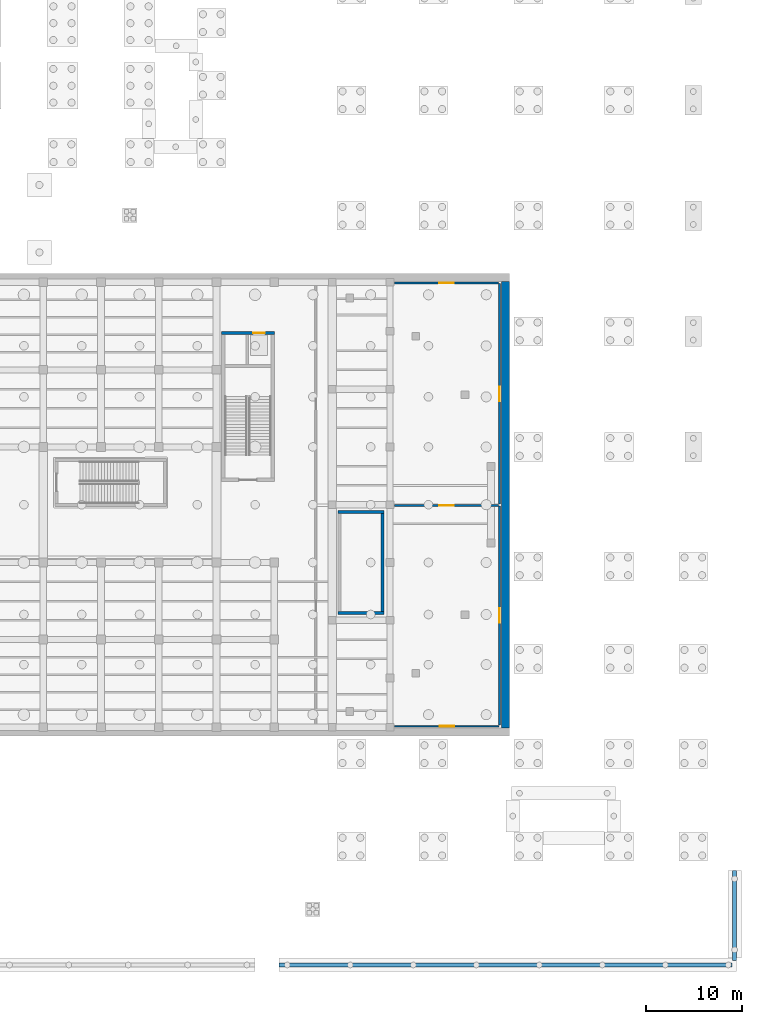
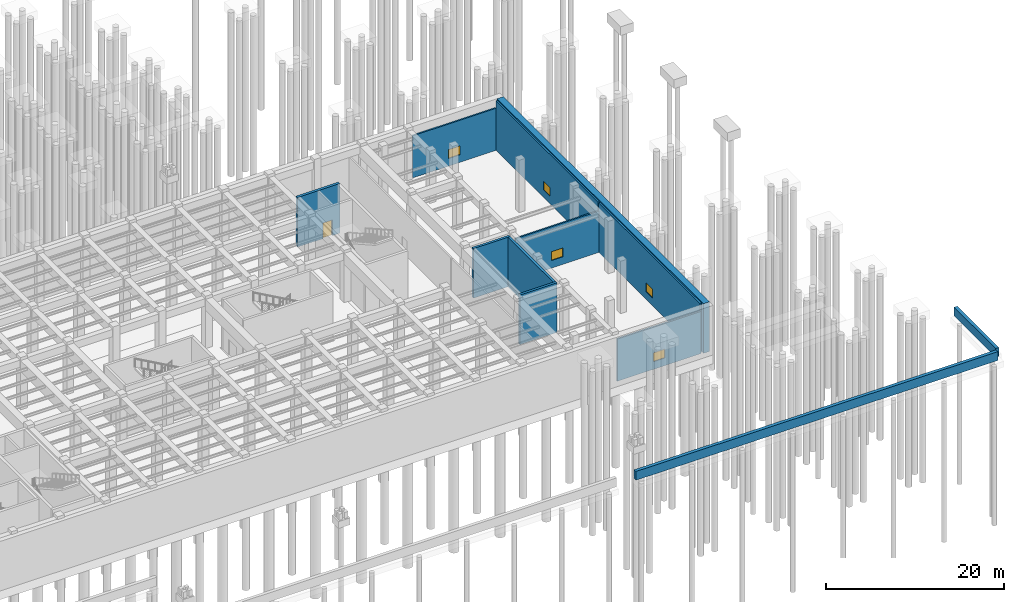
# One storey, part 19 of 30: 12 walls, 5 windows, 1 door, 6 openings.
"""IFC4 building model written with IfcOpenShell, lengths in metres."""

import ifcopenshell
import ifcopenshell.guid

model = None  # the IFC model being written
_history = None  # IfcOwnerHistory: only IFC2X3 demands one
_inside = {}  # id of a spatial element -> (the spatial element, [elements in it])
_under = {}  # id of a project, library or spatial element -> (it, [spatial elements below it])
_declared = {}  # id of a project -> (the project, [libraries it declares])
_typed = {}  # id of a type object -> (the type object, [elements of that type])
_made_of = {}  # id of a material, layer set ... -> (it, [elements and type objects made of it])


def new_model(schema):
    """Start an empty IFC model of exactly this schema.

    Asked for "IFC4X3", IfcOpenShell would pick the latest addendum, in which some entities
    have other attributes; the version numbers below select the first issue.
    IFC2X3 requires an IfcOwnerHistory on every rooted entity: one is made here for all.
    """
    global model, _history
    if schema == "IFC4X3":
        model = ifcopenshell.file(schema_version=(4, 3, 0, 0))
    else:
        model = ifcopenshell.file(schema=schema)
    _inside.clear()
    _under.clear()
    _declared.clear()
    _typed.clear()
    _made_of.clear()
    _history = None
    if model.schema == "IFC2X3":
        org = make("IfcOrganization", Name="unknown")
        user = make(
            "IfcPersonAndOrganization",
            ThePerson=make("IfcPerson", FamilyName="unknown"),
            TheOrganization=org,
        )
        app = make(
            "IfcApplication",
            ApplicationDeveloper=org,
            Version="unknown",
            ApplicationFullName="unknown",
            ApplicationIdentifier="unknown",
        )
        _history = make(
            "IfcOwnerHistory",
            OwningUser=user,
            OwningApplication=app,
            ChangeAction="ADDED",
            CreationDate=0,
        )
    return model


def make(cls, **values):
    """One entity of the class cls with the attributes given. An attribute that is None is left unset."""
    return model.create_entity(
        cls, **{name: value for name, value in values.items() if value is not None}
    )


def rooted(cls, **values):
    """An entity with a GlobalId (a new one), such as an element, a storey or a relation."""
    return make(cls, GlobalId=ifcopenshell.guid.new(), OwnerHistory=_history, **values)


def si_unit(unit_type, name, prefix=None):
    """IfcSIUnit, for example si_unit("LENGTHUNIT", "METRE", prefix="MILLI")."""
    return make("IfcSIUnit", UnitType=unit_type, Prefix=prefix, Name=name)


def assignment(units):
    """IfcUnitAssignment: the units of a project."""
    return None if units is None else make("IfcUnitAssignment", Units=units)


def point(xyz):
    """IfcCartesianPoint."""
    return None if xyz is None else make("IfcCartesianPoint", Coordinates=xyz)


def direction(xyz):
    """IfcDirection."""
    return None if xyz is None else make("IfcDirection", DirectionRatios=xyz)


def frame(location, z_axis=None, x_axis=None):
    """IfcAxis2Placement3D, a coordinate frame: its origin and axes. An axis left out is left unset."""
    return make(
        "IfcAxis2Placement3D",
        Location=point(location),
        Axis=direction(z_axis),
        RefDirection=direction(x_axis),
    )


def frame_2d(location, x_axis=None):
    """IfcAxis2Placement2D, a coordinate frame in the plane: its origin and x axis."""
    return make(
        "IfcAxis2Placement2D", Location=point(location), RefDirection=direction(x_axis)
    )


def origin():
    """The frame at (0, 0, 0) with its axes left unset."""
    return frame((0.0, 0.0, 0.0))


def place(relative_to, where):
    """IfcLocalPlacement: puts the frame where relative to a parent placement (None: the world)."""
    return make(
        "IfcLocalPlacement", PlacementRelTo=relative_to, RelativePlacement=where
    )


def context(
    kind, dimensions, precision=None, world=None, true_north=None, identifier=None
):
    """IfcGeometricRepresentationContext, for example the 3D "Model" context."""
    return make(
        "IfcGeometricRepresentationContext",
        ContextIdentifier=identifier,
        ContextType=kind,
        CoordinateSpaceDimension=dimensions,
        Precision=precision,
        WorldCoordinateSystem=world,
        TrueNorth=true_north,
    )


def subcontext(parent, identifier, kind, view, scale=None):
    """IfcGeometricRepresentationSubContext, for example "Body" below "Model"."""
    return make(
        "IfcGeometricRepresentationSubContext",
        ContextIdentifier=identifier,
        ContextType=kind,
        ParentContext=parent,
        TargetScale=scale,
        TargetView=view,
    )


def project(units=None, contexts=None):
    """IfcProject with its units and contexts."""
    return rooted(
        "IfcProject",
        Name="project",
        RepresentationContexts=contexts,
        UnitsInContext=assignment(units),
    )


def spatial(cls, under=None, at=None, **own):
    """A site, building, storey or space (cls), placed at a placement, below another one or the project."""
    s = rooted(cls, ObjectPlacement=at, **own)
    if under is not None:
        _under.setdefault(under.id(), (under, []))[1].append(s)
    return s


def profile(cls, at=None, kind="AREA", **sizes):
    """A parametric profile (cls). Its sizes go by their IFC names, for example OverallWidth=200.0."""
    return make(cls, ProfileType=kind, Position=at, **sizes)


def rectangle(**sizes):
    """IfcRectangleProfileDef."""
    return profile("IfcRectangleProfileDef", **sizes)


def extrude(swept, where, along, depth):
    """IfcExtrudedAreaSolid: the profile swept, set in the frame where, extruded along a direction by depth."""
    return make(
        "IfcExtrudedAreaSolid",
        SweptArea=swept,
        Position=where,
        ExtrudedDirection=direction(along),
        Depth=depth,
    )


def shape(context_of_items, identifier, shape_type, items):
    """IfcShapeRepresentation: the items that make up one representation, for example the "Body"."""
    return make(
        "IfcShapeRepresentation",
        ContextOfItems=context_of_items,
        RepresentationIdentifier=identifier,
        RepresentationType=shape_type,
        Items=items,
    )


def material(Name=None, Category=None):
    """IfcMaterial."""
    return make("IfcMaterial", Name=Name, Category=Category)


def layer(
    of_material, thickness, ventilated=None, Name=None, Category=None, Priority=None
):
    """IfcMaterialLayer: one layer of a wall or slab, of a material (None: an air gap)."""
    return make(
        "IfcMaterialLayer",
        Material=of_material,
        LayerThickness=thickness,
        IsVentilated=ventilated,
        Name=Name,
        Category=Category,
        Priority=Priority,
    )


def layer_set(layers, Name=None):
    """IfcMaterialLayerSet."""
    return make("IfcMaterialLayerSet", MaterialLayers=layers, LayerSetName=Name)


def made_of(thing, what):
    """Note that an element or type object is made of a material, layer set ...; save() writes the relation."""
    if what is not None:
        _made_of.setdefault(what.id(), (what, []))[1].append(thing)
    return thing


def type_object(cls, material=None, **own):
    """A type object (cls), such as IfcWallType, which elements share."""
    return made_of(rooted(cls, **own), material)


def element(
    cls,
    number,
    at=None,
    inside=None,
    cuts=None,
    type_object=None,
    material=None,
    context=None,
    identifier="Body",
    shape_type=None,
    held_by="IfcProductDefinitionShape",
    body=None,
    shapes=None,
    **own,
):
    """One element of the class cls, such as IfcWall. Its Tag is "e" and its number.

    at: its placement. inside: the storey or other place that contains it. cuts: it is an
    opening in that element (IfcRelVoidsElement). A single representation is given by context,
    identifier, shape_type and body (its items); several are given by shapes. held_by: the class
    of the entity that holds the representations. save() writes the other relations.
    """
    e = rooted(cls, Tag="e%d" % number, ObjectPlacement=at, **own)
    if body is not None:
        shapes = [shape(context, identifier, shape_type, body)]
    if shapes is not None:
        e.Representation = make(held_by, Representations=shapes)
    if inside is not None:
        _inside.setdefault(inside.id(), (inside, []))[1].append(e)
    if cuts is not None:
        rooted(
            "IfcRelVoidsElement", RelatingBuildingElement=cuts, RelatedOpeningElement=e
        )
    if type_object is not None:
        _typed.setdefault(type_object.id(), (type_object, []))[1].append(e)
    return made_of(e, material)


def fill(opening, filler):
    """IfcRelFillsElement: the door or window that sits in an opening."""
    return rooted(
        "IfcRelFillsElement",
        RelatingOpeningElement=opening,
        RelatedBuildingElement=filler,
    )


def aggregate(whole, parts):
    """IfcRelAggregates: a whole, such as a stair, and the parts it consists of."""
    return rooted("IfcRelAggregates", RelatingObject=whole, RelatedObjects=parts)


def save(model, path):
    """Write the relations noted so far, then the file.

    IfcRelAggregates (storeys below a building ...), IfcRelContainedInSpatialStructure (elements
    in a storey), IfcRelDefinesByType, IfcRelAssociatesMaterial and IfcRelDeclares: one each for
    every whole, place, type object, material and project.
    """
    for whole, parts in _under.values():
        aggregate(whole, parts)
    for where, things in _inside.values():
        rooted(
            "IfcRelContainedInSpatialStructure",
            RelatedElements=things,
            RelatingStructure=where,
        )
    for kind, things in _typed.values():
        rooted("IfcRelDefinesByType", RelatedObjects=things, RelatingType=kind)
    for what, things in _made_of.values():
        rooted("IfcRelAssociatesMaterial", RelatedObjects=things, RelatingMaterial=what)
    for by, libraries in _declared.values():
        rooted("IfcRelDeclares", RelatingContext=by, RelatedDefinitions=libraries)
    model.write(path)


model = new_model("IFC4")

# Units and contexts
model_context = context("Model", 3, precision=1e-05, world=origin(), true_north=direction((0.0, 1.0)))
body_context = subcontext(model_context, "Body", "Model", "MODEL_VIEW")
ifc_project = project(units=[si_unit("LENGTHUNIT", "METRE"), si_unit("AREAUNIT", "SQUARE_METRE"), si_unit("VOLUMEUNIT", "CUBIC_METRE"), si_unit("PLANEANGLEUNIT", "RADIAN"), si_unit("MASSUNIT", "GRAM", prefix="KILO")], contexts=[model_context])

# Site, building, storey
site_placement = place(None, origin())
site = spatial("IfcSite", under=ifc_project, at=site_placement, CompositionType="ELEMENT")
building_placement = place(site_placement, origin())
building = spatial("IfcBuilding", under=site, at=building_placement, Name="Kolvaren Corner Interchange", CompositionType="ELEMENT")
storey_placement = place(building_placement, frame((0.0, 0.0, -7.199951171875)))
storey = spatial("IfcBuildingStorey", under=building, at=storey_placement, Name="B1", CompositionType="ELEMENT", Elevation=-7.199951171875)

# Wall, opening, door
ifc_material_1 = material(Name="Concrete C35/45", Category="concrete")
ifc_layer_1 = layer(ifc_material_1, 0.35009765625)
ifc_layer_set_1 = layer_set([ifc_layer_1], Name="Concrete C35/45")
wall_type_1 = type_object("IfcWallType", Name="WL-CORE-350", PredefinedType="SHEAR", material=ifc_layer_set_1)
wall_1_placement = place(storey_placement, frame((114.5, 65.824951171875, 0.0), z_axis=(0.0, 0.0, 1.0), x_axis=(1.0, 0.0, 0.0)))
wall_1 = element("IfcWall", 1, at=wall_1_placement, inside=storey, type_object=wall_type_1, Name="Core C4 B1 North Shear Wall", PredefinedType="SHEAR", context=body_context, shape_type="SweptSolid", body=[
    extrude(rectangle(XDim=5.5, YDim=0.35009765625, at=frame_2d((2.75, 0.0))), origin(), (0.0, 0.0, 1.0), 6.800048828125),
])
opening_1_placement = place(wall_1_placement, frame((3.2900390625, 0.0, 0.0)))
opening_1 = element("IfcOpeningElement", 2, at=opening_1_placement, cuts=wall_1, Name="Opening LD-LF-P2-B1", PredefinedType="OPENING", context=body_context, shape_type="SweptSolid", body=[
    extrude(rectangle(XDim=1.219970703125, YDim=2.14990234375, at=frame_2d((0.60986328125, 1.074951171875))), frame((0.0, 0.18505859375, 0.0), z_axis=(0.0, -1.0, 0.0), x_axis=(1.0, 0.0, 0.0)), (0.0, 0.0, 1.0), 0.3701171875),
])
ifc_material_2 = material(Name="Brushed Stainless Steel Landing Door", Category="steel")
door_type = type_object("IfcDoorType", Name="DT-LIFT-1220", OperationType="NOTDEFINED", PredefinedType="DOOR", material=ifc_material_2)
door_placement = place(opening_1_placement, origin())
door = element("IfcDoor", 3, at=door_placement, inside=storey, type_object=door_type, Name="Passenger Lift LF P2 B1 Sliding Landing Door", OperationType="DOUBLE_DOOR_SLIDING", OverallHeight=2.14990234375, OverallWidth=1.219970703125, PredefinedType="DOOR", context=body_context, shape_type="SweptSolid", body=[
    extrude(rectangle(XDim=1.219970703125, YDim=2.14990234375, at=frame_2d((0.60986328125, 1.074951171875))), frame((0.0, 0.02490234375, 0.0), z_axis=(0.0, -1.0, 0.0), x_axis=(1.0, 0.0, 0.0)), (0.0, 0.0, 1.0), 0.050048828125),
])
fill(opening_1, door)

# Walls
ifc_material_3 = material(Name="Concrete C40/50", Category="concrete")
ifc_layer_2 = layer(ifc_material_3, 0.800048828125)
ifc_layer_set_2 = layer_set([ifc_layer_2], Name="Concrete C40/50")
wall_type_2 = type_object("IfcWallType", Name="WL-METRO-800", PredefinedType="SHEAR", material=ifc_layer_set_2)
wall_2_placement = place(storey_placement, frame((144.0, 24.800048828125, 0.0), z_axis=(0.0, 0.0, 1.0), x_axis=(0.0, 1.0, 0.0)))
element("IfcWall", 4, at=wall_2_placement, inside=storey, type_object=wall_type_2, Name="Metro Station East Diaphragm Wall", PredefinedType="SHEAR", context=body_context, shape_type="SweptSolid", body=[
    extrude(rectangle(XDim=46.39990234375, YDim=0.800048828125, at=frame_2d((23.199951171875, 0.0))), origin(), (0.0, 0.0, 1.0), 6.800048828125),
])
ifc_material_4 = material(Name="Concrete C40/50", Category="concrete")
ifc_layer_3 = layer(ifc_material_4, 0.419921875)
ifc_layer_set_3 = layer_set([ifc_layer_3], Name="Concrete C40/50")
wall_type_3 = type_object("IfcWallType", Name="WL-RET-400", PredefinedType="USERDEFINED", material=ifc_layer_set_3)
wall_3_placement = place(storey_placement, frame((120.5, 0.2099609375, 5.699951171875), z_axis=(0.0, 0.0, 1.0), x_axis=(1.0, 0.0, 0.0)))
element("IfcWall", 5, at=wall_3_placement, inside=storey, type_object=wall_type_3, Name="Southeast Bus Apron Plinth Retaining Wall", ObjectType="RETAINING WALL", PredefinedType="USERDEFINED", context=body_context, shape_type="SweptSolid", body=[
    extrude(rectangle(XDim=47.0, YDim=0.419921875, at=frame_2d((23.5, 0.0))), origin(), (0.0, 0.0, 1.0), 1.2099609375),
])
wall_4_placement = place(storey_placement, frame((167.7900390625, 0.64990234375, 5.699951171875), z_axis=(0.0, 0.0, 1.0), x_axis=(0.0, 1.0, 0.0)))
element("IfcWall", 6, at=wall_4_placement, inside=storey, type_object=wall_type_3, Name="East Apron Plinth Retaining Wall", ObjectType="RETAINING WALL", PredefinedType="USERDEFINED", context=body_context, shape_type="SweptSolid", body=[
    extrude(rectangle(XDim=9.35009765625, YDim=0.419921875, at=frame_2d((4.675048828125, 0.0))), origin(), (0.0, 0.0, 1.0), 1.2099609375),
])
ifc_material_5 = material(Name="Concrete C35/45", Category="concrete")
ifc_layer_4 = layer(ifc_material_5, 0.31005859375)
ifc_layer_set_4 = layer_set([ifc_layer_4], Name="Concrete C35/45")
wall_type_4 = type_object("IfcWallType", Name="WL-STAIR-300", PredefinedType="SHEAR", material=ifc_layer_set_4)
for number, where, z_axis, x_axis, name in (
    (7, (126.60009765625, 36.7548828125, 0.0), (0.0, 0.0, 1.0), (1.0, 0.0, 0.0), "East Racetrack Concourse Gallery Stair B1 Foundation Shaft South Wall"),
    (8, (126.60009765625, 47.2451171875, 0.0), (0.0, 0.0, 1.0), (1.0, 0.0, 0.0), "East Racetrack Concourse Gallery Stair B1 Foundation Shaft North Wall"),
):
    element("IfcWall", number, at=place(storey_placement, frame(where, z_axis=z_axis, x_axis=x_axis)), inside=storey, type_object=wall_type_4, Name=name, PredefinedType="SHEAR", context=body_context, shape_type="SweptSolid", body=[
        extrude(rectangle(XDim=4.7998046875, YDim=0.31005859375, at=frame_2d((2.39990234375, 0.0))), origin(), (0.0, 0.0, 1.0), 6.800048828125),
    ])
wall_5_placement = place(storey_placement, frame((131.2451171875, 36.909912109375, 0.0), z_axis=(0.0, 0.0, 1.0), x_axis=(0.0, 1.0, 0.0)))
element("IfcWall", 9, at=wall_5_placement, inside=storey, type_object=wall_type_4, Name="East Racetrack Concourse Gallery Stair B1 Foundation Shaft East Wall", PredefinedType="SHEAR", context=body_context, shape_type="SweptSolid", body=[
    extrude(rectangle(XDim=10.18017578125, YDim=0.31005859375, at=frame_2d((5.090087890625, 0.0))), origin(), (0.0, 0.0, 1.0), 6.800048828125),
])

# Wall, opening, window
ifc_material_6 = material(Name="Fire-Rated Gypsum Block Partition")
ifc_layer_5 = layer(ifc_material_6, 0.199951171875)
ifc_layer_set_5 = layer_set([ifc_layer_5], Name="Fire-Rated Gypsum Block Partition")
wall_type_5 = type_object("IfcWallType", Name="WT-PART-FR200", PredefinedType="PARTITIONING", material=ifc_layer_set_5)
wall_6_placement = place(storey_placement, frame((132.4599609375, 25.0, 0.0), z_axis=(0.0, 0.0, 1.0), x_axis=(1.0, 0.0, 0.0)))
wall_6 = element("IfcWall", 10, at=wall_6_placement, inside=storey, type_object=wall_type_5, Name="B1 Metro Chiller and Pump Plant Partition Wall 011", PredefinedType="PARTITIONING", context=body_context, shape_type="SweptSolid", body=[
    extrude(rectangle(XDim=10.89013671875, YDim=0.199951171875, at=frame_2d((5.445068359375, 0.0))), origin(), (0.0, 0.0, 1.0), 5.784912109375),
])
opening_2_placement = place(wall_6_placement, frame((4.695068359375, 0.0, 1.050048828125)))
opening_2 = element("IfcOpeningElement", 11, at=opening_2_placement, cuts=wall_6, Name="Opening W-I02", PredefinedType="OPENING", context=body_context, shape_type="SweptSolid", body=[
    extrude(rectangle(XDim=1.5, YDim=1.199951171875, at=frame_2d((0.75, 0.60009765625))), frame((0.0, 0.10986328125, 0.0), z_axis=(0.0, -1.0, 0.0), x_axis=(1.0, 0.0, 0.0)), (0.0, 0.0, 1.0), 0.219970703125),
])
ifc_material_7 = material(Name="Fire-Rated Interior Observation Window")
window_type = type_object("IfcWindowType", Name="WT-INT-1500x1200", PartitioningType="SINGLE_PANEL", PredefinedType="WINDOW", material=ifc_material_7)
window_1_placement = place(opening_2_placement, origin())
window_1 = element("IfcWindow", 12, at=window_1_placement, inside=storey, type_object=window_type, Name="B1 Interior Vision Glazing 07", OverallHeight=1.199951171875, OverallWidth=1.5, PartitioningType="SINGLE_PANEL", PredefinedType="WINDOW", context=body_context, shape_type="SweptSolid", body=[
    extrude(rectangle(XDim=1.5, YDim=1.199951171875, at=frame_2d((0.75, 0.60009765625))), frame((0.0, 0.030029296875, 0.0), z_axis=(0.0, -1.0, 0.0), x_axis=(1.0, 0.0, 0.0)), (0.0, 0.0, 1.0), 0.06005859375),
])
fill(opening_2, window_1)

wall_7_placement = place(storey_placement, frame((143.39990234375, 25.10205078125, 0.0), z_axis=(0.0, 0.0, 1.0), x_axis=(0.0, 1.0, 0.0)))
wall_7 = element("IfcWall", 13, at=wall_7_placement, inside=storey, type_object=wall_type_5, Name="B1 Metro Chiller and Pump Plant Partition Wall 012", PredefinedType="PARTITIONING", context=body_context, shape_type="SweptSolid", body=[
    extrude(rectangle(XDim=22.748046875, YDim=0.199951171875, at=frame_2d((11.3740234375, 0.0))), origin(), (0.0, 0.0, 1.0), 6.780029296875),
])
opening_3_placement = place(wall_7_placement, frame((10.6240234375, 0.0, 1.050048828125)))
opening_3 = element("IfcOpeningElement", 14, at=opening_3_placement, cuts=wall_7, Name="Opening W-I02", PredefinedType="OPENING", context=body_context, shape_type="SweptSolid", body=[
    extrude(rectangle(XDim=1.5, YDim=1.199951171875, at=frame_2d((0.75, 0.60009765625))), frame((0.0, 0.10986328125, 0.0), z_axis=(0.0, -1.0, 0.0), x_axis=(1.0, 0.0, 0.0)), (0.0, 0.0, 1.0), 0.219970703125),
])
window_2_placement = place(opening_3_placement, origin())
window_2 = element("IfcWindow", 15, at=window_2_placement, inside=storey, type_object=window_type, Name="B1 Interior Vision Glazing 08", OverallHeight=1.199951171875, OverallWidth=1.5, PartitioningType="SINGLE_PANEL", PredefinedType="WINDOW", context=body_context, shape_type="SweptSolid", body=[
    extrude(rectangle(XDim=1.5, YDim=1.199951171875, at=frame_2d((0.75, 0.60009765625))), frame((0.0, 0.030029296875, 0.0), z_axis=(0.0, -1.0, 0.0), x_axis=(1.0, 0.0, 0.0)), (0.0, 0.0, 1.0), 0.06005859375),
])
fill(opening_3, window_2)

wall_8_placement = place(storey_placement, frame((143.298095703125, 47.89990234375, 0.0), z_axis=(0.0, 0.0, 1.0), x_axis=(-1.0, 0.0, 0.0)))
wall_8 = element("IfcWall", 16, at=wall_8_placement, inside=storey, type_object=wall_type_5, Name="B1 Metro Chiller and Pump Plant Partition Wall 013", PredefinedType="PARTITIONING", context=body_context, shape_type="SweptSolid", body=[
    extrude(rectangle(XDim=10.838134765625, YDim=0.199951171875, at=frame_2d((5.4189453125, 0.0))), origin(), (0.0, 0.0, 1.0), 5.68505859375),
])
opening_4_placement = place(wall_8_placement, frame((4.6689453125, 0.0, 1.050048828125)))
opening_4 = element("IfcOpeningElement", 17, at=opening_4_placement, cuts=wall_8, Name="Opening W-I02", PredefinedType="OPENING", context=body_context, shape_type="SweptSolid", body=[
    extrude(rectangle(XDim=1.5, YDim=1.199951171875, at=frame_2d((0.75, 0.60009765625))), frame((0.0, 0.10986328125, 0.0), z_axis=(0.0, -1.0, 0.0), x_axis=(1.0, 0.0, 0.0)), (0.0, 0.0, 1.0), 0.219970703125),
])
window_3_placement = place(opening_4_placement, origin())
window_3 = element("IfcWindow", 18, at=window_3_placement, inside=storey, type_object=window_type, Name="B1 Interior Vision Glazing 09", OverallHeight=1.199951171875, OverallWidth=1.5, PartitioningType="SINGLE_PANEL", PredefinedType="WINDOW", context=body_context, shape_type="SweptSolid", body=[
    extrude(rectangle(XDim=1.5, YDim=1.199951171875, at=frame_2d((0.75, 0.60009765625))), frame((0.0, 0.030029296875, 0.0), z_axis=(0.0, -1.0, 0.0), x_axis=(1.0, 0.0, 0.0)), (0.0, 0.0, 1.0), 0.06005859375),
])
fill(opening_4, window_3)

wall_9_placement = place(storey_placement, frame((143.39990234375, 48.050048828125, 0.0), z_axis=(0.0, 0.0, 1.0), x_axis=(0.0, 1.0, 0.0)))
wall_9 = element("IfcWall", 19, at=wall_9_placement, inside=storey, type_object=wall_type_5, Name="B1 Tunnel Ventilation Plant Partition Wall 015", PredefinedType="PARTITIONING", context=body_context, shape_type="SweptSolid", body=[
    extrude(rectangle(XDim=22.89990234375, YDim=0.199951171875, at=frame_2d((11.449951171875, 0.0))), origin(), (0.0, 0.0, 1.0), 6.780029296875),
])
opening_5_placement = place(wall_9_placement, frame((10.699951171875, 0.0, 1.050048828125)))
opening_5 = element("IfcOpeningElement", 20, at=opening_5_placement, cuts=wall_9, Name="Opening W-I02", PredefinedType="OPENING", context=body_context, shape_type="SweptSolid", body=[
    extrude(rectangle(XDim=1.5, YDim=1.199951171875, at=frame_2d((0.75, 0.60009765625))), frame((0.0, 0.10986328125, 0.0), z_axis=(0.0, -1.0, 0.0), x_axis=(1.0, 0.0, 0.0)), (0.0, 0.0, 1.0), 0.219970703125),
])
window_4_placement = place(opening_5_placement, origin())
window_4 = element("IfcWindow", 21, at=window_4_placement, inside=storey, type_object=window_type, Name="B1 Interior Vision Glazing 10", OverallHeight=1.199951171875, OverallWidth=1.5, PartitioningType="SINGLE_PANEL", PredefinedType="WINDOW", context=body_context, shape_type="SweptSolid", body=[
    extrude(rectangle(XDim=1.5, YDim=1.199951171875, at=frame_2d((0.75, 0.60009765625))), frame((0.0, 0.030029296875, 0.0), z_axis=(0.0, -1.0, 0.0), x_axis=(1.0, 0.0, 0.0)), (0.0, 0.0, 1.0), 0.06005859375),
])
fill(opening_5, window_4)

wall_10_placement = place(storey_placement, frame((143.298095703125, 71.0, 0.0), z_axis=(0.0, 0.0, 1.0), x_axis=(-1.0, 0.0, 0.0)))
wall_10 = element("IfcWall", 22, at=wall_10_placement, inside=storey, type_object=wall_type_5, Name="B1 Tunnel Ventilation Plant Partition Wall 016", PredefinedType="PARTITIONING", context=body_context, shape_type="SweptSolid", body=[
    extrude(rectangle(XDim=10.838134765625, YDim=0.199951171875, at=frame_2d((5.4189453125, 0.0))), origin(), (0.0, 0.0, 1.0), 5.784912109375),
])
opening_6_placement = place(wall_10_placement, frame((4.6689453125, 0.0, 1.050048828125)))
opening_6 = element("IfcOpeningElement", 23, at=opening_6_placement, cuts=wall_10, Name="Opening W-I02", PredefinedType="OPENING", context=body_context, shape_type="SweptSolid", body=[
    extrude(rectangle(XDim=1.5, YDim=1.199951171875, at=frame_2d((0.75, 0.60009765625))), frame((0.0, 0.10986328125, 0.0), z_axis=(0.0, -1.0, 0.0), x_axis=(1.0, 0.0, 0.0)), (0.0, 0.0, 1.0), 0.219970703125),
])
window_5_placement = place(opening_6_placement, origin())
window_5 = element("IfcWindow", 24, at=window_5_placement, inside=storey, type_object=window_type, Name="B1 Interior Vision Glazing 11", OverallHeight=1.199951171875, OverallWidth=1.5, PartitioningType="SINGLE_PANEL", PredefinedType="WINDOW", context=body_context, shape_type="SweptSolid", body=[
    extrude(rectangle(XDim=1.5, YDim=1.199951171875, at=frame_2d((0.75, 0.60009765625))), frame((0.0, 0.030029296875, 0.0), z_axis=(0.0, -1.0, 0.0), x_axis=(1.0, 0.0, 0.0)), (0.0, 0.0, 1.0), 0.06005859375),
])
fill(opening_6, window_5)

save(model, "model.ifc")
